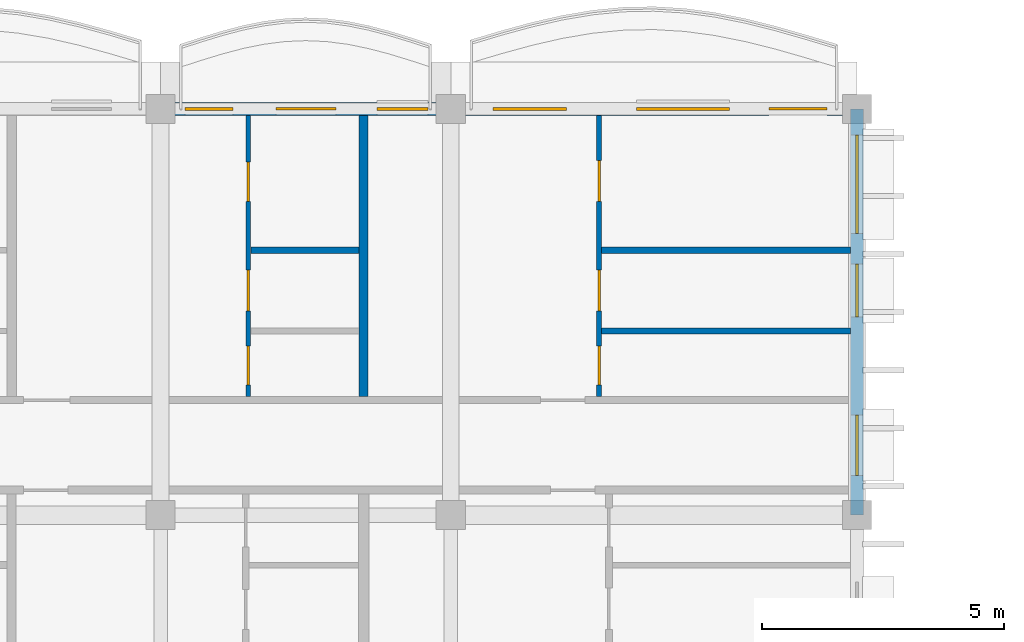
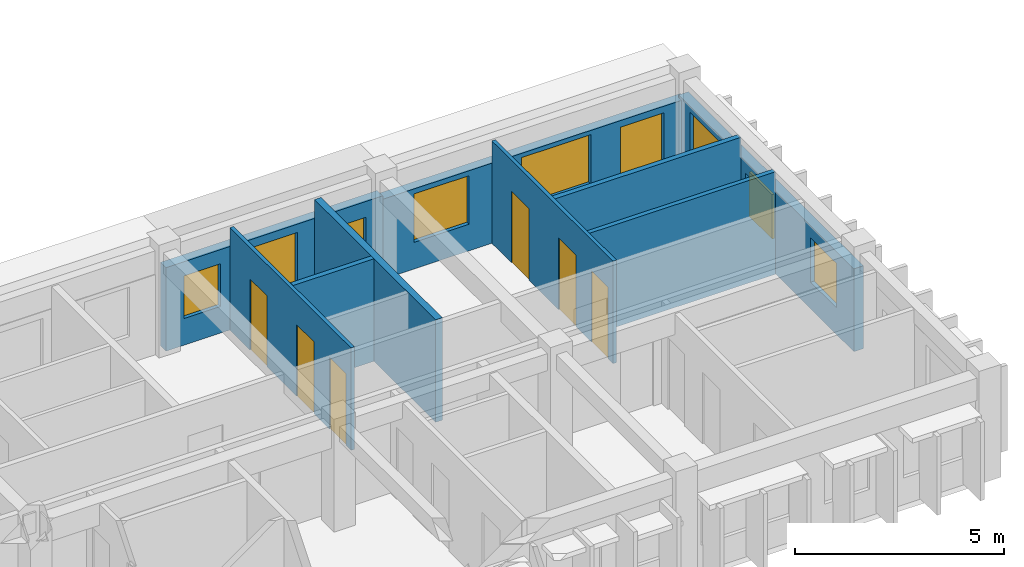
# One storey, part 20 of 45: 9 walls, 8 doors, 7 windows, 15 openings.
"""IFC4 building model written with IfcOpenShell, lengths in metres."""

from ifc_helpers import new_model, si_unit, direction, frame, frame_2d, origin, place, context, subcontext, project, spatial, rectangle, extrude, material, layer, layer_set, type_object, element, fill, save


model = new_model("IFC4")

# Units and contexts
model_context = context("Model", 3, precision=1e-05, world=origin(), true_north=direction((0.0, 1.0)))
body_context = subcontext(model_context, "Body", "Model", "MODEL_VIEW")
ifc_project = project(units=[si_unit("LENGTHUNIT", "METRE"), si_unit("AREAUNIT", "SQUARE_METRE"), si_unit("VOLUMEUNIT", "CUBIC_METRE"), si_unit("PLANEANGLEUNIT", "RADIAN"), si_unit("MASSUNIT", "GRAM", prefix="KILO"), si_unit("THERMODYNAMICTEMPERATUREUNIT", "KELVIN")], contexts=[model_context])

# Site, building, storey
site_placement = place(None, origin())
site = spatial("IfcSite", under=ifc_project, at=site_placement, CompositionType="ELEMENT")
building_placement = place(site_placement, origin())
building = spatial("IfcBuilding", under=site, at=building_placement, Name="Thalorik Housing Commons", CompositionType="ELEMENT")
storey_placement = place(building_placement, frame((0.0, 0.0, 34.5)))
storey = spatial("IfcBuildingStorey", under=building, at=storey_placement, Name="L10", CompositionType="ELEMENT", Elevation=34.5)

# Wall, openings, windows
ifc_material_1 = material(Name="White precast concrete C40/50", Category="concrete")
ifc_layer_1 = layer(ifc_material_1, 0.264892578125, Name="White precast concrete C40/50", Category="concrete")
ifc_layer_set_1 = layer_set([ifc_layer_1], Name="White precast concrete C40/50")
wall_type_1 = type_object("IfcWallType", Name="ARC-WAL-EXT-265", PredefinedType="STANDARD", material=ifc_layer_set_1)
wall_1_placement = place(storey_placement, frame((51.60009765625, 115.199951171875, 0.0), z_axis=(0.0, 0.0, 1.0), x_axis=(0.0, 1.0, 0.0)))
wall_1 = element("IfcWall", 1, at=wall_1_placement, inside=storey, type_object=wall_type_1, Name="L10 Exterior Wall WAL-EXT-L10-A-0262", PredefinedType="STANDARD", context=body_context, shape_type="SweptSolid", body=[
    extrude(rectangle(XDim=8.400146484375, YDim=0.264892578125, at=frame_2d((4.2001953125, 0.0))), origin(), (0.0, 0.0, 1.0), 2.425048828125),
])
opening_1_placement = place(wall_1_placement, frame((0.824951171875, 0.0, 0.780029296875)))
opening_1 = element("IfcOpeningElement", 2, at=opening_1_placement, cuts=wall_1, Name="Opening W-46", PredefinedType="OPENING", context=body_context, shape_type="SweptSolid", body=[
    extrude(rectangle(XDim=1.25, YDim=1.300048828125, at=frame_2d((0.625, 0.64990234375))), frame((0.0, 0.142578125, 0.0), z_axis=(0.0, -1.0, 0.0), x_axis=(1.0, 0.0, 0.0)), (0.0, 0.0, 1.0), 0.284912109375),
])
opening_2_placement = place(wall_1_placement, frame((4.0947265625, 0.0, 0.780029296875)))
opening_2 = element("IfcOpeningElement", 3, at=opening_2_placement, cuts=wall_1, Name="Opening W-03", PredefinedType="OPENING", context=body_context, shape_type="SweptSolid", body=[
    extrude(rectangle(XDim=1.10009765625, YDim=1.300048828125, at=frame_2d((0.550048828125, 0.64990234375))), frame((0.0, 0.142578125, 0.0), z_axis=(0.0, -1.0, 0.0), x_axis=(1.0, 0.0, 0.0)), (0.0, 0.0, 1.0), 0.284912109375),
])
opening_3_placement = place(wall_1_placement, frame((5.82470703125, 0.0, 0.780029296875)))
opening_3 = element("IfcOpeningElement", 4, at=opening_3_placement, cuts=wall_1, Name="Opening W-62", PredefinedType="OPENING", context=body_context, shape_type="SweptSolid", body=[
    extrude(rectangle(XDim=2.0400390625, YDim=1.4599609375, at=frame_2d((1.02001953125, 0.72998046875))), frame((0.0, 0.142578125, 0.0), z_axis=(0.0, -1.0, 0.0), x_axis=(1.0, 0.0, 0.0)), (0.0, 0.0, 1.0), 0.284912109375),
])
ifc_material_2 = material(Name="Anodised aluminium and solar-control low-E glass", Category="aluminium")
window_type_1 = type_object("IfcWindowType", Name="ARC-WIN-03", PartitioningType="SINGLE_PANEL", PredefinedType="WINDOW", material=ifc_material_2)
window_1_placement = place(opening_2_placement, origin())
window_1 = element("IfcWindow", 5, at=window_1_placement, inside=storey, type_object=window_type_1, Name="L10 Facade Window 474", OverallHeight=1.300048828125, OverallWidth=1.10009765625, PartitioningType="SINGLE_PANEL", PredefinedType="WINDOW", context=body_context, shape_type="SweptSolid", body=[
    extrude(rectangle(XDim=1.10009765625, YDim=1.300048828125, at=frame_2d((0.550048828125, 0.64990234375))), frame((0.0, 0.030029296875, 0.0), z_axis=(0.0, -1.0, 0.0), x_axis=(1.0, 0.0, 0.0)), (0.0, 0.0, 1.0), 0.06005859375),
])
fill(opening_2, window_1)
window_type_2 = type_object("IfcWindowType", Name="ARC-WIN-46", PartitioningType="SINGLE_PANEL", PredefinedType="WINDOW", material=ifc_material_2)
window_2_placement = place(opening_1_placement, origin())
window_2 = element("IfcWindow", 6, at=window_2_placement, inside=storey, type_object=window_type_2, Name="L10 Facade Window 473", OverallHeight=1.300048828125, OverallWidth=1.25, PartitioningType="SINGLE_PANEL", PredefinedType="WINDOW", context=body_context, shape_type="SweptSolid", body=[
    extrude(rectangle(XDim=1.25, YDim=1.300048828125, at=frame_2d((0.625, 0.64990234375))), frame((0.0, 0.030029296875, 0.0), z_axis=(0.0, -1.0, 0.0), x_axis=(1.0, 0.0, 0.0)), (0.0, 0.0, 1.0), 0.06005859375),
])
fill(opening_1, window_2)
window_type_3 = type_object("IfcWindowType", Name="ARC-WIN-62", PartitioningType="DOUBLE_PANEL_VERTICAL", PredefinedType="WINDOW", material=ifc_material_2)
window_3_placement = place(opening_3_placement, origin())
window_3 = element("IfcWindow", 7, at=window_3_placement, inside=storey, type_object=window_type_3, Name="L10 Facade Window 475", OverallHeight=1.4599609375, OverallWidth=2.0400390625, PartitioningType="DOUBLE_PANEL_VERTICAL", PredefinedType="WINDOW", context=body_context, shape_type="SweptSolid", body=[
    extrude(rectangle(XDim=2.0400390625, YDim=1.4599609375, at=frame_2d((1.02001953125, 0.72998046875))), frame((0.0, 0.030029296875, 0.0), z_axis=(0.0, -1.0, 0.0), x_axis=(1.0, 0.0, 0.0)), (0.0, 0.0, 1.0), 0.06005859375),
])
fill(opening_3, window_3)

# Wall, openings, door, windows
wall_2_placement = place(storey_placement, frame((51.60009765625, 123.60009765625, 0.0), z_axis=(0.0, 0.0, 1.0), x_axis=(-1.0, 0.0, 0.0)))
wall_2 = element("IfcWall", 8, at=wall_2_placement, inside=storey, type_object=wall_type_1, Name="L10 Exterior Wall WAL-EXT-L10-A-0263", PredefinedType="STANDARD", context=body_context, shape_type="SweptSolid", body=[
    extrude(rectangle(XDim=8.400146484375, YDim=0.264892578125, at=frame_2d((4.2001953125, 0.0))), origin(), (0.0, 0.0, 1.0), 2.344970703125),
])
opening_4_placement = place(wall_2_placement, frame((0.6201171875, 0.0, 0.0)))
opening_4 = element("IfcOpeningElement", 9, at=opening_4_placement, cuts=wall_2, Name="Opening ED-0082", PredefinedType="OPENING", context=body_context, shape_type="SweptSolid", body=[
    extrude(rectangle(XDim=1.199951171875, YDim=2.14990234375, at=frame_2d((0.60009765625, 1.074951171875))), frame((0.0, 0.142578125, 0.0), z_axis=(0.0, -1.0, 0.0), x_axis=(1.0, 0.0, 0.0)), (0.0, 0.0, 1.0), 0.284912109375),
])
opening_5_placement = place(wall_2_placement, frame((2.641357421875, 0.0, 0.780029296875)))
opening_5 = element("IfcOpeningElement", 10, at=opening_5_placement, cuts=wall_2, Name="Opening W-60", PredefinedType="OPENING", context=body_context, shape_type="SweptSolid", body=[
    extrude(rectangle(XDim=1.919921875, YDim=1.43994140625, at=frame_2d((0.9599609375, 0.719970703125))), frame((0.0, 0.142578125, 0.0), z_axis=(0.0, -1.0, 0.0), x_axis=(1.0, 0.0, 0.0)), (0.0, 0.0, 1.0), 0.284912109375),
])
opening_6_placement = place(wall_2_placement, frame((6.011474609375, 0.0, 0.780029296875)))
opening_6 = element("IfcOpeningElement", 11, at=opening_6_placement, cuts=wall_2, Name="Opening W-52", PredefinedType="OPENING", context=body_context, shape_type="SweptSolid", body=[
    extrude(rectangle(XDim=1.52001953125, YDim=1.419921875, at=frame_2d((0.760009765625, 0.7099609375))), frame((0.0, 0.142578125, 0.0), z_axis=(0.0, -1.0, 0.0), x_axis=(1.0, 0.0, 0.0)), (0.0, 0.0, 1.0), 0.284912109375),
])
ifc_material_3 = material(Name="Anodised aluminium and laminated safety glass", Category="aluminium")
door_type_1 = type_object("IfcDoorType", Name="ARC-DR-BAL-1200", OperationType="NOTDEFINED", PredefinedType="DOOR", material=ifc_material_3)
door_1_placement = place(opening_4_placement, frame((1.199951171875, 0.0, 0.0), z_axis=(0.0, 0.0, 1.0), x_axis=(-1.0, 0.0, 0.0)))
door_1 = element("IfcDoor", 12, at=door_1_placement, inside=storey, type_object=door_type_1, Name="L10 Block A Balcony Glazed Door", OperationType="SINGLE_SWING_LEFT", OverallHeight=2.14990234375, OverallWidth=1.199951171875, PredefinedType="DOOR", context=body_context, shape_type="SweptSolid", body=[
    extrude(rectangle(XDim=1.199951171875, YDim=2.14990234375, at=frame_2d((0.60009765625, 1.074951171875))), frame((0.0, 0.02490234375, 0.0), z_axis=(0.0, -1.0, 0.0), x_axis=(1.0, 0.0, 0.0)), (0.0, 0.0, 1.0), 0.050048828125),
])
fill(opening_4, door_1)
window_type_4 = type_object("IfcWindowType", Name="ARC-WIN-52", PartitioningType="SINGLE_PANEL", PredefinedType="WINDOW", material=ifc_material_2)
window_4_placement = place(opening_6_placement, origin())
window_4 = element("IfcWindow", 13, at=window_4_placement, inside=storey, type_object=window_type_4, Name="L10 Facade Window 477", OverallHeight=1.419921875, OverallWidth=1.52001953125, PartitioningType="SINGLE_PANEL", PredefinedType="WINDOW", context=body_context, shape_type="SweptSolid", body=[
    extrude(rectangle(XDim=1.52001953125, YDim=1.419921875, at=frame_2d((0.760009765625, 0.7099609375))), frame((0.0, 0.030029296875, 0.0), z_axis=(0.0, -1.0, 0.0), x_axis=(1.0, 0.0, 0.0)), (0.0, 0.0, 1.0), 0.06005859375),
])
fill(opening_6, window_4)
window_type_5 = type_object("IfcWindowType", Name="ARC-WIN-60", PartitioningType="DOUBLE_PANEL_VERTICAL", PredefinedType="WINDOW", material=ifc_material_2)
window_5_placement = place(opening_5_placement, origin())
window_5 = element("IfcWindow", 14, at=window_5_placement, inside=storey, type_object=window_type_5, Name="L10 Facade Window 476", OverallHeight=1.43994140625, OverallWidth=1.919921875, PartitioningType="DOUBLE_PANEL_VERTICAL", PredefinedType="WINDOW", context=body_context, shape_type="SweptSolid", body=[
    extrude(rectangle(XDim=1.919921875, YDim=1.43994140625, at=frame_2d((0.9599609375, 0.719970703125))), frame((0.0, 0.030029296875, 0.0), z_axis=(0.0, -1.0, 0.0), x_axis=(1.0, 0.0, 0.0)), (0.0, 0.0, 1.0), 0.06005859375),
])
fill(opening_5, window_5)

wall_3_placement = place(storey_placement, frame((43.199951171875, 123.60009765625, 0.0), z_axis=(0.0, 0.0, 1.0), x_axis=(-1.0, 0.0, 0.0)))
wall_3 = element("IfcWall", 15, at=wall_3_placement, inside=storey, type_object=wall_type_1, Name="L10 Exterior Wall WAL-EXT-L10-A-0264", PredefinedType="STANDARD", context=body_context, shape_type="SweptSolid", body=[
    extrude(rectangle(XDim=6.0, YDim=0.264892578125, at=frame_2d((3.0, 0.0))), origin(), (0.0, 0.0, 1.0), 2.445068359375),
])
opening_7_placement = place(wall_3_placement, frame((2.367919921875, 0.0, 0.0)))
opening_7 = element("IfcOpeningElement", 16, at=opening_7_placement, cuts=wall_3, Name="Opening ED-0083", PredefinedType="OPENING", context=body_context, shape_type="SweptSolid", body=[
    extrude(rectangle(XDim=1.25, YDim=2.199951171875, at=frame_2d((0.625, 1.10009765625))), frame((0.0, 0.142578125, 0.0), z_axis=(0.0, -1.0, 0.0), x_axis=(1.0, 0.0, 0.0)), (0.0, 0.0, 1.0), 0.284912109375),
])
opening_8_placement = place(wall_3_placement, frame((0.469970703125, 0.0, 0.780029296875)))
opening_8 = element("IfcOpeningElement", 17, at=opening_8_placement, cuts=wall_3, Name="Opening W-44", PredefinedType="OPENING", context=body_context, shape_type="SweptSolid", body=[
    extrude(rectangle(XDim=1.050048828125, YDim=1.199951171875, at=frame_2d((0.52490234375, 0.60009765625))), frame((0.0, 0.142578125, 0.0), z_axis=(0.0, -1.0, 0.0), x_axis=(1.0, 0.0, 0.0)), (0.0, 0.0, 1.0), 0.284912109375),
])
opening_9_placement = place(wall_3_placement, frame((4.497802734375, 0.0, 0.780029296875)))
opening_9 = element("IfcOpeningElement", 18, at=opening_9_placement, cuts=wall_3, Name="Opening W-02", PredefinedType="OPENING", context=body_context, shape_type="SweptSolid", body=[
    extrude(rectangle(XDim=1.0, YDim=1.25, at=frame_2d((0.5, 0.625))), frame((0.0, 0.142578125, 0.0), z_axis=(0.0, -1.0, 0.0), x_axis=(1.0, 0.0, 0.0)), (0.0, 0.0, 1.0), 0.284912109375),
])
door_type_2 = type_object("IfcDoorType", Name="ARC-DR-BAL-1250", OperationType="NOTDEFINED", PredefinedType="DOOR", material=ifc_material_3)
door_2_placement = place(opening_7_placement, frame((1.25, 0.0, 0.0), z_axis=(0.0, 0.0, 1.0), x_axis=(-1.0, 0.0, 0.0)))
door_2 = element("IfcDoor", 19, at=door_2_placement, inside=storey, type_object=door_type_2, Name="L10 Block A Balcony Glazed Door", OperationType="SINGLE_SWING_RIGHT", OverallHeight=2.199951171875, OverallWidth=1.25, PredefinedType="DOOR", context=body_context, shape_type="SweptSolid", body=[
    extrude(rectangle(XDim=1.25, YDim=2.199951171875, at=frame_2d((0.625, 1.10009765625))), frame((0.0, 0.02490234375, 0.0), z_axis=(0.0, -1.0, 0.0), x_axis=(1.0, 0.0, 0.0)), (0.0, 0.0, 1.0), 0.050048828125),
])
fill(opening_7, door_2)
window_type_6 = type_object("IfcWindowType", Name="ARC-WIN-02", PartitioningType="SINGLE_PANEL", PredefinedType="WINDOW", material=ifc_material_2)
window_6_placement = place(opening_9_placement, origin())
window_6 = element("IfcWindow", 20, at=window_6_placement, inside=storey, type_object=window_type_6, Name="L10 Facade Window 479", OverallHeight=1.25, OverallWidth=1.0, PartitioningType="SINGLE_PANEL", PredefinedType="WINDOW", context=body_context, shape_type="SweptSolid", body=[
    extrude(rectangle(XDim=1.0, YDim=1.25, at=frame_2d((0.5, 0.625))), frame((0.0, 0.030029296875, 0.0), z_axis=(0.0, -1.0, 0.0), x_axis=(1.0, 0.0, 0.0)), (0.0, 0.0, 1.0), 0.06005859375),
])
fill(opening_9, window_6)
window_type_7 = type_object("IfcWindowType", Name="ARC-WIN-44", PartitioningType="SINGLE_PANEL", PredefinedType="WINDOW", material=ifc_material_2)
window_7_placement = place(opening_8_placement, origin())
window_7 = element("IfcWindow", 21, at=window_7_placement, inside=storey, type_object=window_type_7, Name="L10 Facade Window 478", OverallHeight=1.199951171875, OverallWidth=1.050048828125, PartitioningType="SINGLE_PANEL", PredefinedType="WINDOW", context=body_context, shape_type="SweptSolid", body=[
    extrude(rectangle(XDim=1.050048828125, YDim=1.199951171875, at=frame_2d((0.52490234375, 0.60009765625))), frame((0.0, 0.030029296875, 0.0), z_axis=(0.0, -1.0, 0.0), x_axis=(1.0, 0.0, 0.0)), (0.0, 0.0, 1.0), 0.06005859375),
])
fill(opening_8, window_7)

# Wall, openings, doors
ifc_material_4 = material(Name="Gypsum light stud partition", Category="masonry")
ifc_layer_2 = layer(ifc_material_4, 0.10009765625, Name="Gypsum light stud partition", Category="masonry")
ifc_layer_set_2 = layer_set([ifc_layer_2], Name="Gypsum light stud partition")
wall_type_2 = type_object("IfcWallType", Name="ARC-WAL-PART-100", PredefinedType="PARTITIONING", material=ifc_layer_set_2)
wall_4_placement = place(storey_placement, frame((39.014404296875, 117.656982421875, 0.0), z_axis=(0.0, 0.0, 1.0), x_axis=(0.0, 1.0, 0.0)))
wall_4 = element("IfcWall", 22, at=wall_4_placement, inside=storey, type_object=wall_type_2, Name="L10 Unit 2B Spine Partition", PredefinedType="PARTITIONING", context=body_context, shape_type="SweptSolid", body=[
    extrude(rectangle(XDim=5.80859375, YDim=0.10009765625, at=frame_2d((2.904296875, 0.0))), origin(), (0.0, 0.0, 1.0), 3.0),
])
opening_10_placement = place(wall_4_placement, frame((0.23828125, 0.0, 0.0)))
opening_10 = element("IfcOpeningElement", 23, at=opening_10_placement, cuts=wall_4, Name="Opening ID-0822", PredefinedType="OPENING", context=body_context, shape_type="SweptSolid", body=[
    extrude(rectangle(XDim=0.800048828125, YDim=2.10009765625, at=frame_2d((0.39990234375, 1.050048828125))), frame((0.0, 0.06005859375, 0.0), z_axis=(0.0, -1.0, 0.0), x_axis=(1.0, 0.0, 0.0)), (0.0, 0.0, 1.0), 0.1201171875),
])
opening_11_placement = place(wall_4_placement, frame((1.7626953125, 0.0, 0.0)))
opening_11 = element("IfcOpeningElement", 24, at=opening_11_placement, cuts=wall_4, Name="Opening ID-0823", PredefinedType="OPENING", context=body_context, shape_type="SweptSolid", body=[
    extrude(rectangle(XDim=0.85009765625, YDim=2.10009765625, at=frame_2d((0.425048828125, 1.050048828125))), frame((0.0, 0.06005859375, 0.0), z_axis=(0.0, -1.0, 0.0), x_axis=(1.0, 0.0, 0.0)), (0.0, 0.0, 1.0), 0.1201171875),
])
opening_12_placement = place(wall_4_placement, frame((4.027587890625, 0.0, 0.0)))
opening_12 = element("IfcOpeningElement", 25, at=opening_12_placement, cuts=wall_4, Name="Opening ID-0824", PredefinedType="OPENING", context=body_context, shape_type="SweptSolid", body=[
    extrude(rectangle(XDim=0.820068359375, YDim=2.080078125, at=frame_2d((0.41015625, 1.0400390625))), frame((0.0, 0.06005859375, 0.0), z_axis=(0.0, -1.0, 0.0), x_axis=(1.0, 0.0, 0.0)), (0.0, 0.0, 1.0), 0.1201171875),
])
ifc_material_5 = material(Name="Moisture-resistant timber", Category="wood")
door_type_3 = type_object("IfcDoorType", Name="ARC-DR-INT-800", OperationType="NOTDEFINED", PredefinedType="DOOR", material=ifc_material_5)
door_3_placement = place(opening_10_placement, origin())
door_3 = element("IfcDoor", 26, at=door_3_placement, inside=storey, type_object=door_type_3, Name="L10 Flat Bathroom Door", OperationType="SINGLE_SWING_LEFT", OverallHeight=2.10009765625, OverallWidth=0.800048828125, PredefinedType="DOOR", context=body_context, shape_type="SweptSolid", body=[
    extrude(rectangle(XDim=0.800048828125, YDim=2.10009765625, at=frame_2d((0.39990234375, 1.050048828125))), frame((0.0, 0.02490234375, 0.0), z_axis=(0.0, -1.0, 0.0), x_axis=(1.0, 0.0, 0.0)), (0.0, 0.0, 1.0), 0.050048828125),
])
fill(opening_10, door_3)
ifc_material_6 = material(Name="Engineered oak timber", Category="wood")
door_type_4 = type_object("IfcDoorType", Name="ARC-DR-INT-820", OperationType="NOTDEFINED", PredefinedType="DOOR", material=ifc_material_6)
door_4_placement = place(opening_12_placement, origin())
door_4 = element("IfcDoor", 27, at=door_4_placement, inside=storey, type_object=door_type_4, Name="L10 Double Bedroom Door", OperationType="SINGLE_SWING_LEFT", OverallHeight=2.080078125, OverallWidth=0.820068359375, PredefinedType="DOOR", context=body_context, shape_type="SweptSolid", body=[
    extrude(rectangle(XDim=0.820068359375, YDim=2.080078125, at=frame_2d((0.41015625, 1.0400390625))), frame((0.0, 0.02490234375, 0.0), z_axis=(0.0, -1.0, 0.0), x_axis=(1.0, 0.0, 0.0)), (0.0, 0.0, 1.0), 0.050048828125),
])
fill(opening_12, door_4)
door_type_5 = type_object("IfcDoorType", Name="ARC-DR-INT-850", OperationType="NOTDEFINED", PredefinedType="DOOR", material=ifc_material_6)
door_5_placement = place(opening_11_placement, origin())
door_5 = element("IfcDoor", 28, at=door_5_placement, inside=storey, type_object=door_type_5, Name="L10 Galley Kitchen Door", OperationType="SINGLE_SWING_RIGHT", OverallHeight=2.10009765625, OverallWidth=0.85009765625, PredefinedType="DOOR", context=body_context, shape_type="SweptSolid", body=[
    extrude(rectangle(XDim=0.85009765625, YDim=2.10009765625, at=frame_2d((0.425048828125, 1.050048828125))), frame((0.0, 0.02490234375, 0.0), z_axis=(0.0, -1.0, 0.0), x_axis=(1.0, 0.0, 0.0)), (0.0, 0.0, 1.0), 0.050048828125),
])
fill(opening_11, door_5)

wall_5_placement = place(storey_placement, frame((46.26708984375, 117.656982421875, 0.0), z_axis=(0.0, 0.0, 1.0), x_axis=(0.0, 1.0, 0.0)))
wall_5 = element("IfcWall", 29, at=wall_5_placement, inside=storey, type_object=wall_type_2, Name="L10 Unit 3B Spine Partition", PredefinedType="PARTITIONING", context=body_context, shape_type="SweptSolid", body=[
    extrude(rectangle(XDim=5.80859375, YDim=0.10009765625, at=frame_2d((2.904296875, 0.0))), origin(), (0.0, 0.0, 1.0), 3.0),
])
opening_13_placement = place(wall_5_placement, frame((0.23828125, 0.0, 0.0)))
opening_13 = element("IfcOpeningElement", 30, at=opening_13_placement, cuts=wall_5, Name="Opening ID-0828", PredefinedType="OPENING", context=body_context, shape_type="SweptSolid", body=[
    extrude(rectangle(XDim=0.800048828125, YDim=2.10009765625, at=frame_2d((0.39990234375, 1.050048828125))), frame((0.0, 0.06005859375, 0.0), z_axis=(0.0, -1.0, 0.0), x_axis=(1.0, 0.0, 0.0)), (0.0, 0.0, 1.0), 0.1201171875),
])
opening_14_placement = place(wall_5_placement, frame((1.7626953125, 0.0, 0.0)))
opening_14 = element("IfcOpeningElement", 31, at=opening_14_placement, cuts=wall_5, Name="Opening ID-0829", PredefinedType="OPENING", context=body_context, shape_type="SweptSolid", body=[
    extrude(rectangle(XDim=0.85009765625, YDim=2.10009765625, at=frame_2d((0.425048828125, 1.050048828125))), frame((0.0, 0.06005859375, 0.0), z_axis=(0.0, -1.0, 0.0), x_axis=(1.0, 0.0, 0.0)), (0.0, 0.0, 1.0), 0.1201171875),
])
opening_15_placement = place(wall_5_placement, frame((4.027587890625, 0.0, 0.0)))
opening_15 = element("IfcOpeningElement", 32, at=opening_15_placement, cuts=wall_5, Name="Opening ID-0830", PredefinedType="OPENING", context=body_context, shape_type="SweptSolid", body=[
    extrude(rectangle(XDim=0.85009765625, YDim=2.10009765625, at=frame_2d((0.425048828125, 1.050048828125))), frame((0.0, 0.06005859375, 0.0), z_axis=(0.0, -1.0, 0.0), x_axis=(1.0, 0.0, 0.0)), (0.0, 0.0, 1.0), 0.1201171875),
])
door_6_placement = place(opening_13_placement, origin())
door_6 = element("IfcDoor", 33, at=door_6_placement, inside=storey, type_object=door_type_3, Name="L10 Accessible Bathroom Door", OperationType="SINGLE_SWING_LEFT", OverallHeight=2.10009765625, OverallWidth=0.800048828125, PredefinedType="DOOR", context=body_context, shape_type="SweptSolid", body=[
    extrude(rectangle(XDim=0.800048828125, YDim=2.10009765625, at=frame_2d((0.39990234375, 1.050048828125))), frame((0.0, 0.02490234375, 0.0), z_axis=(0.0, -1.0, 0.0), x_axis=(1.0, 0.0, 0.0)), (0.0, 0.0, 1.0), 0.050048828125),
])
fill(opening_13, door_6)
door_7_placement = place(opening_14_placement, origin())
door_7 = element("IfcDoor", 34, at=door_7_placement, inside=storey, type_object=door_type_5, Name="L10 Eat-In Kitchen Door", OperationType="SINGLE_SWING_RIGHT", OverallHeight=2.10009765625, OverallWidth=0.85009765625, PredefinedType="DOOR", context=body_context, shape_type="SweptSolid", body=[
    extrude(rectangle(XDim=0.85009765625, YDim=2.10009765625, at=frame_2d((0.425048828125, 1.050048828125))), frame((0.0, 0.02490234375, 0.0), z_axis=(0.0, -1.0, 0.0), x_axis=(1.0, 0.0, 0.0)), (0.0, 0.0, 1.0), 0.050048828125),
])
fill(opening_14, door_7)
door_8_placement = place(opening_15_placement, origin())
door_8 = element("IfcDoor", 35, at=door_8_placement, inside=storey, type_object=door_type_5, Name="L10 Double Bedroom Door", OperationType="SINGLE_SWING_LEFT", OverallHeight=2.10009765625, OverallWidth=0.85009765625, PredefinedType="DOOR", context=body_context, shape_type="SweptSolid", body=[
    extrude(rectangle(XDim=0.85009765625, YDim=2.10009765625, at=frame_2d((0.425048828125, 1.050048828125))), frame((0.0, 0.02490234375, 0.0), z_axis=(0.0, -1.0, 0.0), x_axis=(1.0, 0.0, 0.0)), (0.0, 0.0, 1.0), 0.050048828125),
])
fill(opening_15, door_8)

# Walls
ifc_material_7 = material(Name="Gypsum acoustic stud partition", Category="masonry")
ifc_layer_3 = layer(ifc_material_7, 0.125, Name="Gypsum acoustic stud partition", Category="masonry")
ifc_layer_set_3 = layer_set([ifc_layer_3], Name="Gypsum acoustic stud partition")
wall_type_3 = type_object("IfcWallType", Name="ARC-WAL-PART-125", PredefinedType="PARTITIONING", material=ifc_layer_set_3)
wall_6_placement = place(storey_placement, frame((46.319091796875, 119.010498046875, 0.0), z_axis=(0.0, 0.0, 1.0), x_axis=(1.0, 0.0, 0.0)))
element("IfcWall", 36, at=wall_6_placement, inside=storey, type_object=wall_type_3, Name="L10 Unit 3B Wet Wall", PredefinedType="PARTITIONING", context=body_context, shape_type="SweptSolid", body=[
    extrude(rectangle(XDim=5.146484375, YDim=0.125, at=frame_2d((2.5732421875, 0.0))), origin(), (0.0, 0.0, 1.0), 3.0),
])
ifc_material_8 = material(Name="Ceramic masonry partition wall", Category="masonry")
ifc_layer_4 = layer(ifc_material_8, 0.139892578125, Name="Ceramic masonry partition wall", Category="masonry")
ifc_layer_set_4 = layer_set([ifc_layer_4], Name="Ceramic masonry partition wall")
wall_type_4 = type_object("IfcWallType", Name="ARC-WAL-PART-140", PredefinedType="PARTITIONING", material=ifc_layer_set_4)
wall_7_placement = place(storey_placement, frame((39.06640625, 120.67919921875, 0.0), z_axis=(0.0, 0.0, 1.0), x_axis=(1.0, 0.0, 0.0)))
element("IfcWall", 37, at=wall_7_placement, inside=storey, type_object=wall_type_4, Name="L10 Unit 2B Bedroom Partition", PredefinedType="PARTITIONING", context=body_context, shape_type="SweptSolid", body=[
    extrude(rectangle(XDim=2.239013671875, YDim=0.139892578125, at=frame_2d((1.11962890625, 0.0))), origin(), (0.0, 0.0, 1.0), 3.0),
])
wall_8_placement = place(storey_placement, frame((46.319091796875, 120.67919921875, 0.0), z_axis=(0.0, 0.0, 1.0), x_axis=(1.0, 0.0, 0.0)))
element("IfcWall", 38, at=wall_8_placement, inside=storey, type_object=wall_type_4, Name="L10 Unit 3B Bedroom Partition", PredefinedType="PARTITIONING", context=body_context, shape_type="SweptSolid", body=[
    extrude(rectangle(XDim=5.146484375, YDim=0.139892578125, at=frame_2d((2.5732421875, 0.0))), origin(), (0.0, 0.0, 1.0), 3.0),
])
ifc_material_9 = material(Name="Masonry acoustic blockwork wall", Category="masonry")
ifc_layer_5 = layer(ifc_material_9, 0.18505859375, Name="Masonry acoustic blockwork wall", Category="masonry")
ifc_layer_set_5 = layer_set([ifc_layer_5], Name="Masonry acoustic blockwork wall")
wall_type_5 = type_object("IfcWallType", Name="ARC-WAL-PARTY-185", PredefinedType="PARTITIONING", material=ifc_layer_set_5)
wall_9_placement = place(storey_placement, frame((41.39990234375, 117.656982421875, 0.0), z_axis=(0.0, 0.0, 1.0), x_axis=(0.0, 1.0, 0.0)))
element("IfcWall", 39, at=wall_9_placement, inside=storey, type_object=wall_type_5, Name="L10 Inter-Tenancy Wall 2B", PredefinedType="PARTITIONING", context=body_context, shape_type="SweptSolid", body=[
    extrude(rectangle(XDim=5.80859375, YDim=0.18505859375, at=frame_2d((2.904296875, 0.0))), origin(), (0.0, 0.0, 1.0), 3.0),
])

save(model, "model.ifc")
